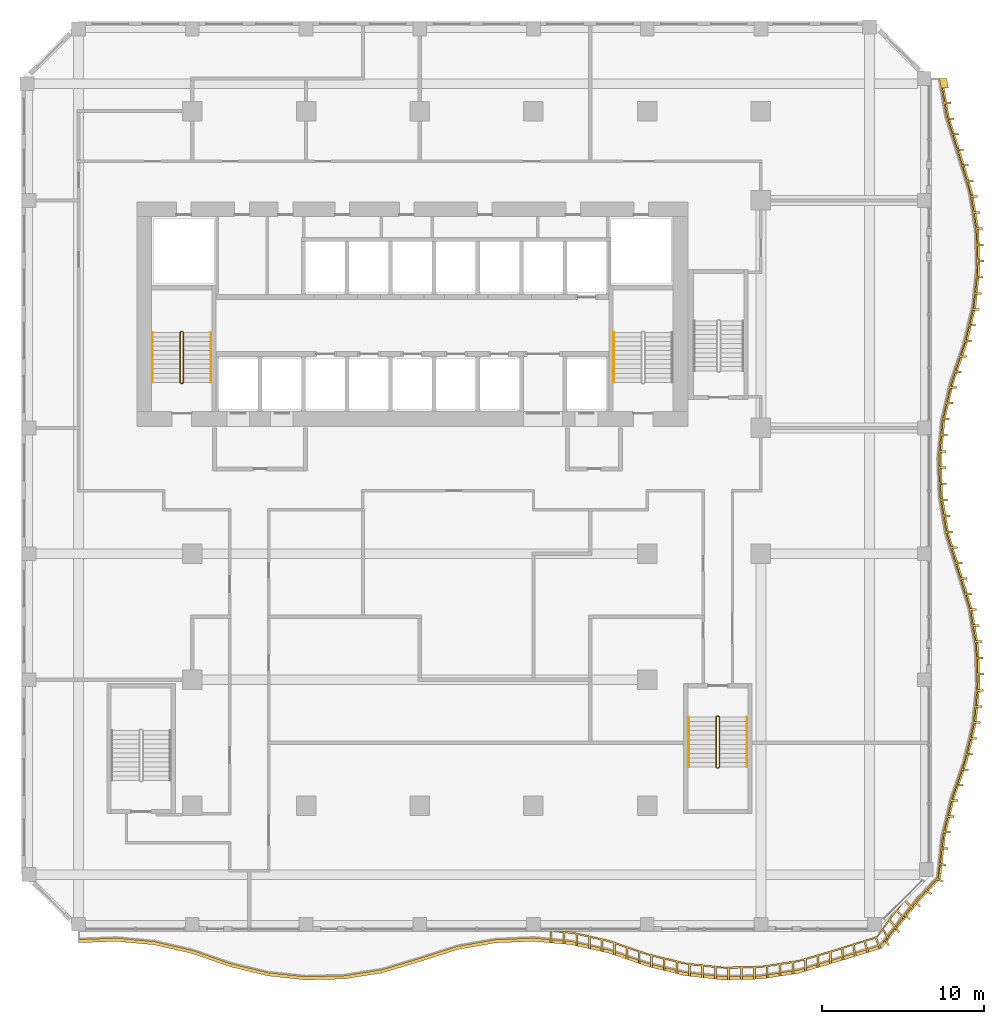
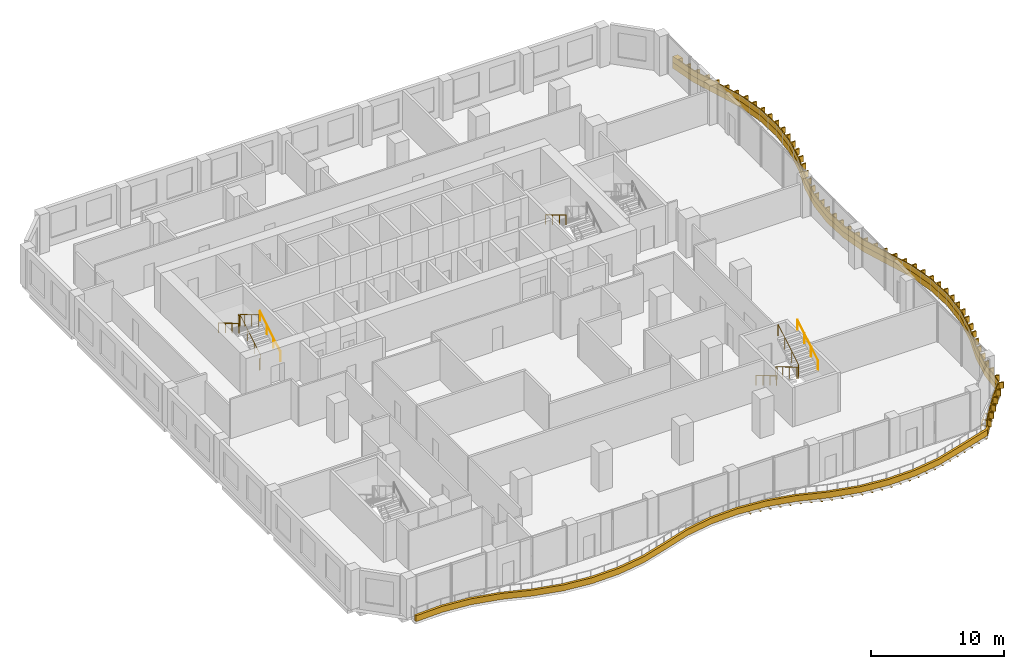
# One storey, part 18 of 19: 7 railings, 3 shading devices.
"""IFC4 building model written with IfcOpenShell, lengths in metres."""

from ifc_helpers import new_model, si_unit, direction, frame, origin, origin_2d, place, context, subcontext, project, spatial, polyline, circle, outline, extrude, source, transform, mapped, material, layer, layer_set, type_object, element, save


model = new_model("IFC4")

# Units and contexts
model_context = context("Model", 3, precision=1e-05, world=origin(), true_north=direction((0.0, 1.0)))
body_context = subcontext(model_context, "Body", "Model", "MODEL_VIEW")
ifc_project = project(units=[si_unit("LENGTHUNIT", "METRE"), si_unit("AREAUNIT", "SQUARE_METRE"), si_unit("VOLUMEUNIT", "CUBIC_METRE"), si_unit("PLANEANGLEUNIT", "RADIAN"), si_unit("MASSUNIT", "GRAM", prefix="KILO")], contexts=[model_context])

# Site, building, storey
site_placement = place(None, origin())
site = spatial("IfcSite", under=ifc_project, at=site_placement, CompositionType="ELEMENT")
building_placement = place(site_placement, origin())
building = spatial("IfcBuilding", under=site, at=building_placement, Name="Kilnfold Tower and Market Hall", CompositionType="ELEMENT")
storey_placement = place(building_placement, frame((0.0, 0.0, 124.60009765625)))
storey = spatial("IfcBuildingStorey", under=building, at=storey_placement, Name="L29", CompositionType="ELEMENT", Elevation=124.60009765625)

# Railings
ifc_material_1 = material(Name="Stainless steel 316", Category="steel")
railing_type_1 = type_object("IfcRailingType", Name="CORE STAIR GUARD 1100", PredefinedType="GUARDRAIL", material=ifc_material_1)
railing_1_placement = place(storey_placement, frame((-13.199951171875, 10.75, 0.0)))
element("IfcRailing", 1, at=railing_1_placement, inside=storey, type_object=railing_type_1, Name="L29 ST1 stair guard 1", PredefinedType="GUARDRAIL", context=body_context, shape_type="SweptSolid", body=[
    extrude(circle(Radius=0.02392578125, at=origin_2d()), frame((0.0, 0.0, 1.076171875), z_axis=(1.0, 0.0, 0.0), x_axis=(0.0, 1.0, 0.0)), (0.0, 0.0, 1.0), 0.099853515625),
    extrude(circle(Radius=0.02392578125, at=origin_2d()), frame((0.099853515625, 0.0, 1.076171875), z_axis=(0.27662974545, 0.27662974545, 0.920299933644), x_axis=(-0.707106781187, 0.707106781187, 0.0)), (0.0, 0.0, 1.0), 0.180908203125),
    extrude(circle(Radius=0.02392578125, at=origin_2d()), frame((0.14990234375, 0.050048828125, 1.24267578125), z_axis=(0.0, 0.859260807169, 0.511537745687), x_axis=(-1.0, 0.0, 0.0)), (0.0, 0.0, 1.0), 3.584228515625),
    extrude(circle(Radius=0.02392578125, at=origin_2d()), frame((0.14990234375, 3.1298828125, 3.076171875), z_axis=(-0.707106781187, 0.707106781187, 0.0), x_axis=(-0.707106781187, -0.707106781187, 0.0)), (0.0, 0.0, 1.0), 0.07080078125),
    extrude(circle(Radius=0.02392578125, at=origin_2d()), frame((0.099853515625, 3.179931640625, 3.076171875), z_axis=(-1.0, 0.0, 0.0), x_axis=(0.0, -1.0, 0.0)), (0.0, 0.0, 1.0), 0.099853515625),
    extrude(circle(Radius=0.02392578125, at=origin_2d()), frame((0.0, 3.179931640625, 3.076171875), z_axis=(-0.27662974545, -0.27662974545, 0.920299933644), x_axis=(0.707106781187, -0.707106781187, 0.0)), (0.0, 0.0, 1.0), 0.180908203125),
    extrude(circle(Radius=0.02392578125, at=origin_2d()), frame((-0.050048828125, 3.1298828125, 3.24267578125), z_axis=(0.0, -0.859260807169, 0.511537745687), x_axis=(1.0, 0.0, 0.0)), (0.0, 0.0, 1.0), 3.584228515625),
    extrude(circle(Radius=0.02099609375, at=origin_2d()), origin(), (0.0, 0.0, 1.0), 1.052001953125),
    extrude(circle(Radius=0.02099609375, at=origin_2d()), frame((0.099853515625, 0.0, 0.0)), (0.0, 0.0, 1.0), 1.052001953125),
    extrude(circle(Radius=0.02099609375, at=origin_2d()), frame((0.14990234375, 0.050048828125, 0.16650390625)), (0.0, 0.0, 1.0), 1.052001953125),
    extrude(circle(Radius=0.02099609375, at=origin_2d()), frame((0.14990234375, 1.07666015625, 0.777587890625)), (0.0, 0.0, 1.0), 1.052001953125),
    extrude(circle(Radius=0.02099609375, at=origin_2d()), frame((0.14990234375, 2.103271484375, 1.388916015625)), (0.0, 0.0, 1.0), 1.052001953125),
    extrude(circle(Radius=0.02099609375, at=origin_2d()), frame((0.14990234375, 3.1298828125, 2.0)), (0.0, 0.0, 1.0), 1.052001953125),
    extrude(circle(Radius=0.02099609375, at=origin_2d()), frame((0.099853515625, 3.179931640625, 2.0)), (0.0, 0.0, 1.0), 1.052001953125),
    extrude(circle(Radius=0.02099609375, at=origin_2d()), frame((0.0, 3.179931640625, 2.0)), (0.0, 0.0, 1.0), 1.052001953125),
    extrude(circle(Radius=0.02099609375, at=origin_2d()), frame((-0.050048828125, 3.1298828125, 2.16650390625)), (0.0, 0.0, 1.0), 1.052001953125),
    extrude(circle(Radius=0.02099609375, at=origin_2d()), frame((-0.050048828125, 2.103271484375, 2.777587890625)), (0.0, 0.0, 1.0), 1.052001953125),
    extrude(circle(Radius=0.02099609375, at=origin_2d()), frame((-0.050048828125, 1.07666015625, 3.388916015625)), (0.0, 0.0, 1.0), 1.052001953125),
    extrude(circle(Radius=0.02099609375, at=origin_2d()), frame((-0.050048828125, 0.050048828125, 4.0)), (0.0, 0.0, 1.0), 1.052001953125),
])
railing_2_placement = place(storey_placement, frame((19.89990234375, -9.75, 0.0)))
element("IfcRailing", 2, at=railing_2_placement, inside=storey, type_object=railing_type_1, Name="L29 ST4 stair guard 1", PredefinedType="GUARDRAIL", context=body_context, shape_type="SweptSolid", body=[
    extrude(circle(Radius=0.02392578125, at=origin_2d()), frame((0.0, 0.0, 1.076171875), z_axis=(-1.0, 0.0, 0.0), x_axis=(0.0, -1.0, 0.0)), (0.0, 0.0, 1.0), 0.099853515625),
    extrude(circle(Radius=0.02392578125, at=origin_2d()), frame((-0.099853515625, 0.0, 1.076171875), z_axis=(-0.27662974545, -0.27662974545, 0.920299933644), x_axis=(0.707106781187, -0.707106781187, 0.0)), (0.0, 0.0, 1.0), 0.180908203125),
    extrude(circle(Radius=0.02392578125, at=origin_2d()), frame((-0.14990234375, -0.050048828125, 1.24267578125), z_axis=(0.0, -0.859260807169, 0.511537745687), x_axis=(1.0, 0.0, 0.0)), (0.0, 0.0, 1.0), 3.584228515625),
    extrude(circle(Radius=0.02392578125, at=origin_2d()), frame((-0.14990234375, -3.1298828125, 3.076171875), z_axis=(0.707106781187, -0.707106781187, 0.0), x_axis=(0.707106781187, 0.707106781187, 0.0)), (0.0, 0.0, 1.0), 0.07080078125),
    extrude(circle(Radius=0.02392578125, at=origin_2d()), frame((-0.099853515625, -3.179931640625, 3.076171875), z_axis=(1.0, 0.0, 0.0), x_axis=(0.0, 1.0, 0.0)), (0.0, 0.0, 1.0), 0.099853515625),
    extrude(circle(Radius=0.02392578125, at=origin_2d()), frame((0.0, -3.179931640625, 3.076171875), z_axis=(0.27662974545, 0.27662974545, 0.920299933644), x_axis=(-0.707106781187, 0.707106781187, 0.0)), (0.0, 0.0, 1.0), 0.180908203125),
    extrude(circle(Radius=0.02392578125, at=origin_2d()), frame((0.050048828125, -3.1298828125, 3.24267578125), z_axis=(0.0, 0.859260807169, 0.511537745687), x_axis=(-1.0, 0.0, 0.0)), (0.0, 0.0, 1.0), 3.584228515625),
    extrude(circle(Radius=0.02099609375, at=origin_2d()), origin(), (0.0, 0.0, 1.0), 1.052001953125),
    extrude(circle(Radius=0.02099609375, at=origin_2d()), frame((-0.099853515625, 0.0, 0.0)), (0.0, 0.0, 1.0), 1.052001953125),
    extrude(circle(Radius=0.02099609375, at=origin_2d()), frame((-0.14990234375, -0.050048828125, 0.16650390625)), (0.0, 0.0, 1.0), 1.052001953125),
    extrude(circle(Radius=0.02099609375, at=origin_2d()), frame((-0.14990234375, -1.07666015625, 0.777587890625)), (0.0, 0.0, 1.0), 1.052001953125),
    extrude(circle(Radius=0.02099609375, at=origin_2d()), frame((-0.14990234375, -2.103271484375, 1.388916015625)), (0.0, 0.0, 1.0), 1.052001953125),
    extrude(circle(Radius=0.02099609375, at=origin_2d()), frame((-0.14990234375, -3.1298828125, 2.0)), (0.0, 0.0, 1.0), 1.052001953125),
    extrude(circle(Radius=0.02099609375, at=origin_2d()), frame((-0.099853515625, -3.179931640625, 2.0)), (0.0, 0.0, 1.0), 1.052001953125),
    extrude(circle(Radius=0.02099609375, at=origin_2d()), frame((0.0, -3.179931640625, 2.0)), (0.0, 0.0, 1.0), 1.052001953125),
    extrude(circle(Radius=0.02099609375, at=origin_2d()), frame((0.050048828125, -3.1298828125, 2.16650390625)), (0.0, 0.0, 1.0), 1.052001953125),
    extrude(circle(Radius=0.02099609375, at=origin_2d()), frame((0.050048828125, -2.103271484375, 2.777587890625)), (0.0, 0.0, 1.0), 1.052001953125),
    extrude(circle(Radius=0.02099609375, at=origin_2d()), frame((0.050048828125, -1.07666015625, 3.388916015625)), (0.0, 0.0, 1.0), 1.052001953125),
    extrude(circle(Radius=0.02099609375, at=origin_2d()), frame((0.050048828125, -0.050048828125, 4.0)), (0.0, 0.0, 1.0), 1.052001953125),
])
ifc_material_2 = material(Name="Stainless steel 316", Category="steel")
railing_type_2 = type_object("IfcRailingType", Name="CORE STAIR HANDRAIL 900", PredefinedType="HANDRAIL", material=ifc_material_2)
railing_3_placement = place(storey_placement, frame((-11.35009765625, 10.800048828125, 0.16650390625)))
element("IfcRailing", 3, at=railing_3_placement, inside=storey, type_object=railing_type_2, Name="L29 ST1 stair handrail 1", PredefinedType="HANDRAIL", context=body_context, shape_type="SweptSolid", body=[
    extrude(circle(Radius=0.02392578125, at=origin_2d()), frame((0.0, 0.0, 0.8759765625), z_axis=(0.0, 0.859260807169, 0.511537745687), x_axis=(-1.0, 0.0, 0.0)), (0.0, 0.0, 1.0), 3.584228515625),
    extrude(circle(Radius=0.02099609375, at=origin_2d()), origin(), (0.0, 0.0, 1.0), 0.851806640625),
    extrude(circle(Radius=0.02099609375, at=origin_2d()), frame((0.0, 1.026611328125, 0.611083984375)), (0.0, 0.0, 1.0), 0.851806640625),
    extrude(circle(Radius=0.02099609375, at=origin_2d()), frame((0.0, 2.05322265625, 1.222412109375)), (0.0, 0.0, 1.0), 0.851806640625),
    extrude(circle(Radius=0.02099609375, at=origin_2d()), frame((0.0, 3.079833984375, 1.83349609375)), (0.0, 0.0, 1.0), 0.851806640625),
])
for number, where, name in (
    (4, (-14.949951171875, 13.8798828125, 2.16650390625), "L29 ST1 stair handrail 2"),
    (5, (13.449951171875, 13.8798828125, 2.16650390625), "L29 ST2 stair handrail 2"),
    (6, (18.050048828125, -9.800048828125, 0.16650390625), "L29 ST4 stair handrail 1"),
):
    element("IfcRailing", number, at=place(storey_placement, frame(where)), inside=storey, type_object=railing_type_2, Name=name, PredefinedType="HANDRAIL", context=body_context, shape_type="SweptSolid", body=[
        extrude(circle(Radius=0.02392578125, at=origin_2d()), frame((0.0, 0.0, 0.8759765625), z_axis=(0.0, -0.859260807169, 0.511537745687), x_axis=(1.0, 0.0, 0.0)), (0.0, 0.0, 1.0), 3.584228515625),
        extrude(circle(Radius=0.02099609375, at=origin_2d()), origin(), (0.0, 0.0, 1.0), 0.851806640625),
        extrude(circle(Radius=0.02099609375, at=origin_2d()), frame((0.0, -1.026611328125, 0.611083984375)), (0.0, 0.0, 1.0), 0.851806640625),
        extrude(circle(Radius=0.02099609375, at=origin_2d()), frame((0.0, -2.05322265625, 1.222412109375)), (0.0, 0.0, 1.0), 0.851806640625),
        extrude(circle(Radius=0.02099609375, at=origin_2d()), frame((0.0, -3.079833984375, 1.83349609375)), (0.0, 0.0, 1.0), 0.851806640625),
    ])
railing_4_placement = place(storey_placement, frame((21.64990234375, -12.8798828125, 2.16650390625)))
element("IfcRailing", 7, at=railing_4_placement, inside=storey, type_object=railing_type_2, Name="L29 ST4 stair handrail 2", PredefinedType="HANDRAIL", context=body_context, shape_type="SweptSolid", body=[
    extrude(circle(Radius=0.02392578125, at=origin_2d()), frame((0.0, 0.0, 0.8759765625), z_axis=(0.0, 0.859260807169, 0.511537745687), x_axis=(-1.0, 0.0, 0.0)), (0.0, 0.0, 1.0), 3.584228515625),
    extrude(circle(Radius=0.02099609375, at=origin_2d()), origin(), (0.0, 0.0, 1.0), 0.851806640625),
    extrude(circle(Radius=0.02099609375, at=origin_2d()), frame((0.0, 1.026611328125, 0.611083984375)), (0.0, 0.0, 1.0), 0.851806640625),
    extrude(circle(Radius=0.02099609375, at=origin_2d()), frame((0.0, 2.05322265625, 1.222412109375)), (0.0, 0.0, 1.0), 0.851806640625),
    extrude(circle(Radius=0.02099609375, at=origin_2d()), frame((0.0, 3.079833984375, 1.83349609375)), (0.0, 0.0, 1.0), 0.851806640625),
])

# Shading devices
ifc_material_3 = material(Name="Precast concrete C50/60", Category="concrete")
ifc_layer_1 = layer(ifc_material_3, 0.550048828125)
ifc_layer_set_1 = layer_set([ifc_layer_1], Name="Precast concrete C50/60")
shading_device_type_1 = type_object("IfcShadingDeviceType", Name="BALCONY UPSTAND 550", PredefinedType="USERDEFINED", material=ifc_layer_set_1)
shared_shape_1 = source(origin(), body_context, "Body", "SweptSolid", [
    extrude(outline(polyline([(-19.5, -23.69482421875), (-17.166748046875, -23.60693359375), (-14.833251953125, -23.825439453125), (-12.5, -24.362548828125), (-10.166748046875, -25.171875), (-7.833251953125, -25.7392578125), (-5.5, -25.986083984375), (-3.166748046875, -25.92578125), (-0.833251953125, -25.555419921875), (1.5, -24.85400390625), (3.833251953125, -24.111572265625), (6.166748046875, -23.702392578125), (8.5, -23.60498046875), (10.833251953125, -23.814208984375), (13.166748046875, -24.34130859375), (15.5, -25.1494140625), (17.833251953125, -25.726806640625), (20.166748046875, -25.98291015625), (22.5, -25.93212890625), (24.833251953125, -25.5712890625), (27.166748046875, -24.880615234375), (29.931884765625, -24.04296875), (31.232421875, -22.39892578125), (32.27783203125, -21.111328125), (33.564697265625, -19.73388671875), (33.848876953125, -17.166748046875), (34.406005859375, -14.833251953125), (35.216064453125, -12.5), (35.762939453125, -10.166748046875), (35.990966796875, -7.833251953125), (35.912353515625, -5.5), (35.5224609375, -3.166748046875), (34.800048828125, -0.833251953125), (34.077392578125, 1.5), (33.687744140625, 3.833251953125), (33.60888671875, 6.166748046875), (33.8369140625, 8.5), (34.384033203125, 10.833251953125), (35.194091796875, 13.166748046875), (35.751220703125, 15.5), (35.98876953125, 17.833251953125), (35.919189453125, 20.166748046875), (35.5390625, 22.5), (34.8271484375, 24.833251953125), (34.09423828125, 27.166748046875), (33.69482421875, 29.5), (33.494873046875, 29.5), (33.894287109375, 27.166748046875), (34.627197265625, 24.833251953125), (35.339111328125, 22.5), (35.71923828125, 20.166748046875), (35.788818359375, 17.833251953125), (35.55126953125, 15.5), (34.994140625, 13.166748046875), (34.18408203125, 10.833251953125), (33.636962890625, 8.5), (33.408935546875, 6.166748046875), (33.48779296875, 3.833251953125), (33.87744140625, 1.5), (34.60009765625, -0.833251953125), (35.322509765625, -3.166748046875), (35.71240234375, -5.5), (35.791015625, -7.833251953125), (35.56298828125, -10.166748046875), (35.01611328125, -12.5), (34.205810546875, -14.833251953125), (33.648681640625, -17.166748046875), (33.3798828125, -19.657470703125), (32.136474609375, -20.969970703125), (31.0908203125, -22.257568359375), (29.85546875, -23.858154296875), (27.166748046875, -24.680419921875), (24.833251953125, -25.371337890625), (22.5, -25.732177734375), (20.166748046875, -25.782958984375), (17.833251953125, -25.52685546875), (15.5, -24.949462890625), (13.166748046875, -24.141357421875), (10.833251953125, -23.6142578125), (8.5, -23.405029296875), (6.166748046875, -23.50244140625), (3.833251953125, -23.91162109375), (1.5, -24.654052734375), (-0.833251953125, -25.355224609375), (-3.166748046875, -25.725830078125), (-5.5, -25.785888671875), (-7.833251953125, -25.539306640625), (-10.166748046875, -24.971923828125), (-12.5, -24.16259765625), (-14.833251953125, -23.62548828125), (-17.166748046875, -23.406982421875), (-19.5, -23.494873046875), (-19.5, -23.69482421875)])), origin(), (0.0, 0.0, 1.0), 0.5498046875),
])
shading_device_1_placement = place(storey_placement, origin())
element("IfcShadingDevice", 8, at=shading_device_1_placement, inside=storey, type_object=shading_device_type_1, Name="Balcony fascia L29", ObjectType="FASCIA", PredefinedType="USERDEFINED", context=body_context, shape_type="MappedRepresentation", body=[
    mapped(shared_shape_1, transform((0.0, 0.0, 0.0))),
])
ifc_material_4 = material(Name="Bronze anodised aluminium", Category="aluminium")
ifc_layer_2 = layer(ifc_material_4, 0.550048828125)
ifc_layer_set_2 = layer_set([ifc_layer_2], Name="Bronze anodised aluminium")
shading_device_type_2 = type_object("IfcShadingDeviceType", Name="BRONZE SLAT FASCIA 550", PredefinedType="USERDEFINED", material=ifc_layer_set_2)
shared_shape_2 = source(origin(), body_context, "Body", "SweptSolid", [
    extrude(outline(polyline([(30.32470703125, -23.90869140625), (30.156494140625, -23.582763671875), (29.964599609375, -23.716796875), (31.0908203125, -22.257568359375), (32.136474609375, -20.969970703125), (33.3798828125, -19.657470703125), (33.648681640625, -17.166748046875), (34.205810546875, -14.833251953125), (35.01611328125, -12.5), (35.56298828125, -10.166748046875), (35.791015625, -7.833251953125), (35.71240234375, -5.5), (35.322509765625, -3.166748046875), (33.87744140625, 1.5), (33.48779296875, 3.833251953125), (33.408935546875, 6.166748046875), (33.636962890625, 8.5), (34.18408203125, 10.833251953125), (34.994140625, 13.166748046875), (35.55126953125, 15.5), (35.788818359375, 17.833251953125), (35.71923828125, 20.166748046875), (35.339111328125, 22.5), (34.627197265625, 24.833251953125), (33.894287109375, 27.166748046875), (33.494873046875, 29.5), (33.94482421875, 29.5), (34.041748046875, 28.93408203125), (33.671875, 28.93408203125), (33.8203125, 28.066650390625), (34.190185546875, 28.066650390625), (34.21044921875, 27.948486328125), (33.840576171875, 27.948486328125), (34.000244140625, 27.083740234375), (34.370361328125, 27.083740234375), (34.40625, 26.96923828125), (34.036376953125, 26.96923828125), (34.300048828125, 26.1298828125), (34.669921875, 26.1298828125), (34.705810546875, 26.015380859375), (34.3359375, 26.015380859375), (34.599609375, 25.17578125), (34.969482421875, 25.17578125), (35.005615234375, 25.061279296875), (34.635498046875, 25.061279296875), (34.894287109375, 24.22021484375), (35.26416015625, 24.22021484375), (35.29931640625, 24.105224609375), (34.92919921875, 24.105224609375), (35.18603515625, 23.263671875), (35.55615234375, 23.263671875), (35.591064453125, 23.14892578125), (35.22119140625, 23.14892578125), (35.451416015625, 22.301025390625), (35.821533203125, 22.301025390625), (35.8408203125, 22.1826171875), (35.470703125, 22.1826171875), (35.6123046875, 21.31396484375), (35.982421875, 21.31396484375), (36.001708984375, 21.195556640625), (35.631591796875, 21.195556640625), (35.773193359375, 20.326904296875), (36.14306640625, 20.326904296875), (36.162353515625, 20.20849609375), (35.79248046875, 20.20849609375), (35.82421875, 19.32958984375), (36.194091796875, 19.32958984375), (36.19775390625, 19.209716796875), (35.82763671875, 19.209716796875), (35.85400390625, 18.330078125), (36.223876953125, 18.330078125), (36.2275390625, 18.2099609375), (35.857421875, 18.2099609375), (35.81787109375, 17.332763671875), (36.187744140625, 17.332763671875), (36.175537109375, 17.21337890625), (35.8056640625, 17.21337890625), (35.716552734375, 16.337890625), (36.08642578125, 16.337890625), (36.07421875, 16.218505859375), (35.704345703125, 16.218505859375), (35.594482421875, 15.3466796875), (35.964599609375, 15.3466796875), (35.936767578125, 15.229736328125), (35.566650390625, 15.229736328125), (35.3623046875, 14.373779296875), (35.732421875, 14.373779296875), (35.70458984375, 14.257080078125), (35.33447265625, 14.257080078125), (35.130126953125, 13.401123046875), (35.5, 13.401123046875), (35.47216796875, 13.284423828125), (35.102294921875, 13.284423828125), (34.8251953125, 12.44970703125), (35.1953125, 12.44970703125), (35.156005859375, 12.33642578125), (34.785888671875, 12.33642578125), (34.497314453125, 11.505126953125), (34.8671875, 11.505126953125), (34.827880859375, 11.3916015625), (34.4580078125, 11.3916015625), (34.1982421875, 10.552001953125), (34.568115234375, 10.552001953125), (34.540771484375, 10.435302734375), (34.1708984375, 10.435302734375), (33.969970703125, 9.57861328125), (34.33984375, 9.57861328125), (34.3125, 9.461669921875), (33.9423828125, 9.461669921875), (33.74169921875, 8.60498046875), (34.111572265625, 8.60498046875), (34.085693359375, 8.48779296875), (33.7158203125, 8.48779296875), (33.630126953125, 7.61181640625), (34.000244140625, 7.61181640625), (33.988525390625, 7.492431640625), (33.61865234375, 7.492431640625), (33.532958984375, 6.61669921875), (33.903076171875, 6.61669921875), (33.891357421875, 6.497314453125), (33.521240234375, 6.497314453125), (33.507568359375, 5.619140625), (33.87744140625, 5.619140625), (33.881591796875, 5.499267578125), (33.511474609375, 5.499267578125), (33.541259765625, 4.61962890625), (33.9111328125, 4.61962890625), (33.915283203125, 4.499755859375), (33.545166015625, 4.499755859375), (33.602783203125, 3.623046875), (33.972900390625, 3.623046875), (33.99267578125, 3.504638671875), (33.62255859375, 3.504638671875), (33.767578125, 2.63671875), (34.1376953125, 2.63671875), (34.157470703125, 2.518310546875), (33.787353515625, 2.518310546875), (33.932373046875, 1.650390625), (34.302490234375, 1.650390625), (34.322021484375, 1.531982421875), (33.9521484375, 1.531982421875), (34.208251953125, 0.6904296875), (34.578125, 0.6904296875), (34.61376953125, 0.57568359375), (34.24365234375, 0.57568359375), (34.50390625, -0.264892578125), (34.8740234375, -0.264892578125), (34.909423828125, -0.37939453125), (34.53955078125, -0.37939453125), (34.7998046875, -1.22021484375), (35.169921875, -1.22021484375), (35.205322265625, -1.334716796875), (34.835205078125, -1.334716796875), (35.095458984375, -2.17529296875), (35.465576171875, -2.17529296875), (35.5009765625, -2.2900390625), (35.131103515625, -2.2900390625), (35.391357421875, -3.130615234375), (35.76123046875, -3.130615234375), (35.7724609375, -3.166748046875), (35.785888671875, -3.247802734375), (35.416015625, -3.247802734375), (35.56103515625, -4.11572265625), (35.93115234375, -4.11572265625), (35.95068359375, -4.234130859375), (35.580810546875, -4.234130859375), (35.725830078125, -5.10205078125), (36.095703125, -5.10205078125), (36.115478515625, -5.220458984375), (35.74560546875, -5.220458984375), (35.8125, -6.09619140625), (36.182373046875, -6.09619140625), (36.1865234375, -6.21630859375), (35.81640625, -6.21630859375), (35.84619140625, -7.095703125), (36.216064453125, -7.095703125), (36.22021484375, -7.215576171875), (35.85009765625, -7.215576171875), (35.845458984375, -8.093994140625), (36.215576171875, -8.093994140625), (36.203857421875, -8.21337890625), (35.833984375, -8.21337890625), (35.748291015625, -9.08935546875), (36.118408203125, -9.08935546875), (36.106689453125, -9.208740234375), (35.736572265625, -9.208740234375), (35.65087890625, -10.08447265625), (36.02099609375, -10.08447265625), (36.012939453125, -10.166748046875), (36.00439453125, -10.203125), (35.634521484375, -10.203125), (35.43359375, -11.059814453125), (35.8037109375, -11.059814453125), (35.776123046875, -11.1767578125), (35.40625, -11.1767578125), (35.205322265625, -12.033447265625), (35.575439453125, -12.033447265625), (35.548095703125, -12.150390625), (35.177978515625, -12.150390625), (34.92529296875, -12.9921875), (35.295166015625, -12.9921875), (35.255859375, -13.10546875), (34.8857421875, -13.10546875), (34.59716796875, -13.936767578125), (34.96728515625, -13.936767578125), (34.927734375, -14.050048828125), (34.557861328125, -14.050048828125), (34.274169921875, -14.8828125), (34.64404296875, -14.8828125), (34.6162109375, -14.99951171875), (34.24609375, -14.99951171875), (34.041748046875, -15.85546875), (34.411865234375, -15.85546875), (34.384033203125, -15.97216796875), (34.013916015625, -15.97216796875), (33.8095703125, -16.828125), (34.1796875, -16.828125), (34.15185546875, -16.94482421875), (33.78173828125, -16.94482421875), (33.65771484375, -17.802978515625), (34.022216796875, -17.8388671875), (34.00830078125, -17.962646484375), (33.644775390625, -17.919921875), (33.55078125, -18.77880859375), (33.905029296875, -18.869873046875), (33.890869140625, -18.99365234375), (33.538330078125, -18.89599609375), (33.407470703125, -19.737060546875), (33.74658203125, -19.883056640625), (33.661376953125, -19.975830078125), (33.32666015625, -19.822021484375), (32.737060546875, -20.44580078125), (33.03515625, -20.65673828125), (32.94970703125, -20.74951171875), (32.656982421875, -20.531005859375), (32.076904296875, -21.169189453125), (32.338623046875, -21.430908203125), (32.262939453125, -21.524169921875), (32.00146484375, -21.262451171875), (31.446533203125, -21.945556640625), (31.708251953125, -22.207275390625), (31.632568359375, -22.30029296875), (31.37109375, -22.038818359375), (30.830078125, -22.71826171875), (31.06298828125, -23.00146484375), (30.98388671875, -23.0986328125), (30.7578125, -22.810791015625), (30.228759765625, -23.489990234375), (30.40380859375, -23.8115234375), (30.32470703125, -23.90869140625)])), origin(), (0.0, 0.0, 1.0), 0.550048828125),
])
shading_device_2_placement = place(storey_placement, frame((0.0, 0.0, 0.5498046875)))
element("IfcShadingDevice", 9, at=shading_device_2_placement, inside=storey, type_object=shading_device_type_2, Name="Balcony slat fascia L29", ObjectType="SLAT", PredefinedType="USERDEFINED", context=body_context, shape_type="MappedRepresentation", body=[
    mapped(shared_shape_2, transform((0.0, 0.0, 0.0))),
])
ifc_material_5 = material(Name="Bronze anodised aluminium", Category="aluminium")
ifc_layer_3 = layer(ifc_material_5, 0.080078125)
ifc_layer_set_3 = layer_set([ifc_layer_3], Name="Bronze anodised aluminium")
shading_device_type_3 = type_object("IfcShadingDeviceType", Name="BRONZE SLAT SOFFIT 80", PredefinedType="USERDEFINED", material=ifc_layer_set_3)
shared_shape_3 = source(origin(), body_context, "Body", "SweptSolid", [
    extrude(outline(polyline([(10.833251953125, -23.014404296875), (13.166748046875, -23.541259765625), (15.5, -24.349365234375), (17.833251953125, -24.9267578125), (20.166748046875, -25.18310546875), (22.5, -25.132080078125), (24.833251953125, -24.771240234375), (27.166748046875, -24.08056640625), (29.6259765625, -23.303955078125), (30.666015625, -21.833984375), (31.422607421875, -21.077392578125), (31.90966796875, -21.564697265625), (31.833984375, -21.65771484375), (31.339111328125, -21.162841796875), (30.910400390625, -21.690673828125), (31.405517578125, -22.185791015625), (31.329833984375, -22.27880859375), (30.834716796875, -21.783935546875), (30.4619140625, -22.270263671875), (30.906494140625, -22.81103515625), (30.831787109375, -22.905029296875), (30.39990234375, -22.3544921875), (30.052490234375, -22.8369140625), (30.41015625, -23.4384765625), (30.335693359375, -23.53271484375), (29.99169921875, -22.923095703125), (29.638671875, -23.40380859375), (29.904052734375, -24.051513671875), (29.789306640625, -24.086181640625), (29.5341796875, -23.434326171875), (28.9443359375, -23.61083984375), (29.138427734375, -24.283447265625), (29.0234375, -24.318115234375), (28.840576171875, -23.642578125), (28.253662109375, -23.825439453125), (28.372802734375, -24.51513671875), (28.2578125, -24.550048828125), (28.150146484375, -23.8583984375), (27.56396484375, -24.048583984375), (27.607177734375, -24.7470703125), (27.4921875, -24.781982421875), (27.46044921875, -24.08251953125), (26.8408203125, -24.277099609375), (26.8408203125, -24.97705078125), (26.7255859375, -25.010986328125), (26.7255859375, -24.31103515625), (26.07373046875, -24.504150390625), (26.07373046875, -25.2041015625), (25.95849609375, -25.238037109375), (25.95849609375, -24.5380859375), (25.306640625, -24.731201171875), (25.306640625, -25.43115234375), (25.19140625, -25.465087890625), (25.19140625, -24.76513671875), (24.530517578125, -24.918212890625), (24.530517578125, -25.6181640625), (24.411865234375, -25.636474609375), (24.411865234375, -24.9365234375), (23.739990234375, -25.040283203125), (23.739990234375, -25.740478515625), (23.621337890625, -25.7587890625), (23.621337890625, -25.05859375), (22.94921875, -25.16259765625), (22.94921875, -25.862548828125), (22.830810546875, -25.881103515625), (22.830810546875, -25.180908203125), (22.15478515625, -25.239501953125), (22.15478515625, -25.939697265625), (22.034912109375, -25.942138671875), (22.034912109375, -25.2421875), (21.35498046875, -25.257080078125), (21.35498046875, -25.95703125), (21.318359375, -25.9580078125), (21.23486328125, -25.959716796875), (21.23486328125, -25.259765625), (20.55517578125, -25.2744140625), (20.55517578125, -25.974609375), (20.43505859375, -25.97705078125), (20.43505859375, -25.277099609375), (19.7578125, -25.238037109375), (19.7578125, -25.93798828125), (19.638427734375, -25.925048828125), (19.638427734375, -25.22509765625), (18.96240234375, -25.15087890625), (18.96240234375, -25.850830078125), (18.84326171875, -25.837646484375), (18.84326171875, -25.1376953125), (18.167236328125, -25.0634765625), (18.167236328125, -25.763427734375), (18.0478515625, -25.75048828125), (18.0478515625, -25.05029296875), (17.3828125, -24.915283203125), (17.3828125, -25.615234375), (17.266357421875, -25.58642578125), (17.266357421875, -24.886474609375), (16.606201171875, -24.72314453125), (16.606201171875, -25.423095703125), (16.48974609375, -25.394287109375), (16.48974609375, -24.6943359375), (15.82958984375, -24.531005859375), (15.82958984375, -25.23095703125), (15.713134765625, -25.2021484375), (15.713134765625, -24.502197265625), (15.06494140625, -24.298583984375), (15.06494140625, -24.998779296875), (14.95166015625, -24.95947265625), (14.95166015625, -24.259521484375), (14.30908203125, -24.036865234375), (14.30908203125, -24.73681640625), (14.195556640625, -24.697509765625), (14.195556640625, -23.99755859375), (13.552978515625, -23.775146484375), (13.552978515625, -24.47509765625), (13.439697265625, -24.435791015625), (13.439697265625, -23.73583984375), (12.78515625, -23.55517578125), (12.78515625, -24.255126953125), (12.668212890625, -24.228759765625), (12.668212890625, -23.52880859375), (12.0048828125, -23.37890625), (12.0048828125, -24.078857421875), (11.8876953125, -24.052490234375), (11.8876953125, -23.3525390625), (11.224609375, -23.20263671875), (11.224609375, -23.902587890625), (11.107421875, -23.876220703125), (11.107421875, -23.17626953125), (10.435791015625, -23.07861328125), (10.435791015625, -23.77880859375), (10.31640625, -23.767822265625), (10.31640625, -23.06787109375), (9.63916015625, -23.007080078125), (9.63916015625, -23.707275390625), (9.51953125, -23.696533203125), (9.51953125, -23.0), (10.673828125, -23.0), (10.833251953125, -23.014404296875)])), origin(), (0.0, 0.0, 1.0), 0.079833984375),
])
shading_device_3_placement = place(storey_placement, frame((0.0, 0.0, -0.300048828125)))
element("IfcShadingDevice", 10, at=shading_device_3_placement, inside=storey, type_object=shading_device_type_3, Name="Balcony soffit slats L29", ObjectType="SLAT", PredefinedType="USERDEFINED", context=body_context, shape_type="MappedRepresentation", body=[
    mapped(shared_shape_3, transform((0.0, 0.0, 0.0))),
])

save(model, "model.ifc")
